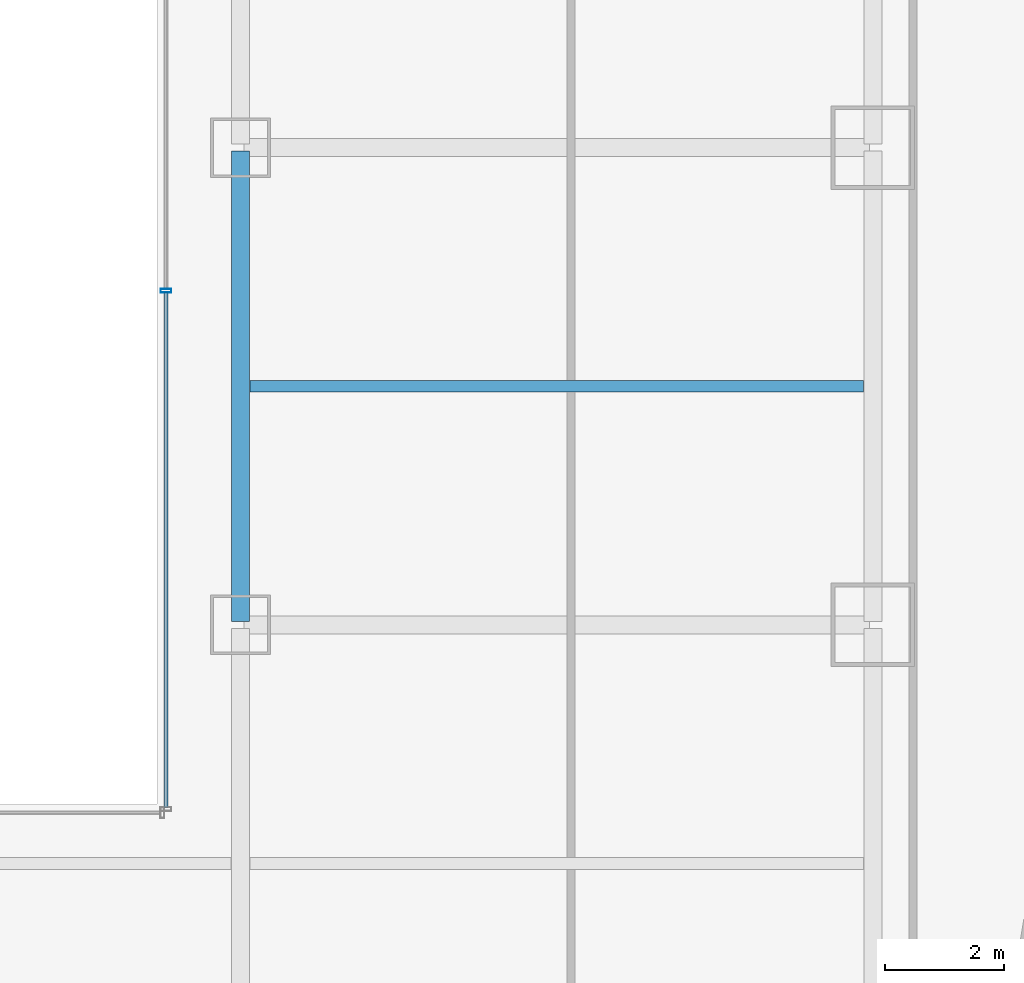
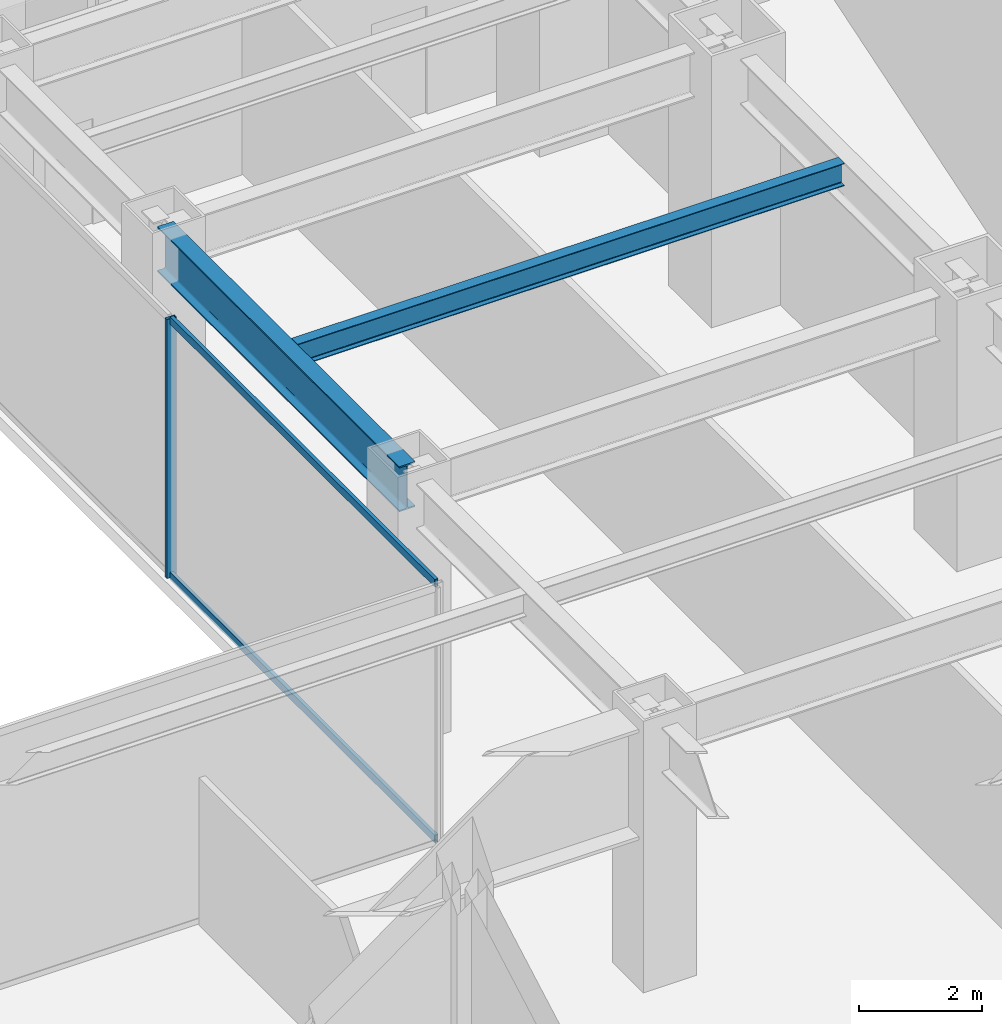
# One storey, part 10 of 29: 3 members, 2 beams, 1 element without a shape of its own.
"""IFC4 building model written with IfcOpenShell, lengths in metres."""

import ifcopenshell
import ifcopenshell.guid

model = None  # the IFC model being written
_history = None  # IfcOwnerHistory: only IFC2X3 demands one
_inside = {}  # id of a spatial element -> (the spatial element, [elements in it])
_under = {}  # id of a project, library or spatial element -> (it, [spatial elements below it])
_declared = {}  # id of a project -> (the project, [libraries it declares])
_typed = {}  # id of a type object -> (the type object, [elements of that type])
_made_of = {}  # id of a material, layer set ... -> (it, [elements and type objects made of it])


def new_model(schema):
    """Start an empty IFC model of exactly this schema.

    Asked for "IFC4X3", IfcOpenShell would pick the latest addendum, in which some entities
    have other attributes; the version numbers below select the first issue.
    IFC2X3 requires an IfcOwnerHistory on every rooted entity: one is made here for all.
    """
    global model, _history
    if schema == "IFC4X3":
        model = ifcopenshell.file(schema_version=(4, 3, 0, 0))
    else:
        model = ifcopenshell.file(schema=schema)
    _inside.clear()
    _under.clear()
    _declared.clear()
    _typed.clear()
    _made_of.clear()
    _history = None
    if model.schema == "IFC2X3":
        org = make("IfcOrganization", Name="unknown")
        user = make(
            "IfcPersonAndOrganization",
            ThePerson=make("IfcPerson", FamilyName="unknown"),
            TheOrganization=org,
        )
        app = make(
            "IfcApplication",
            ApplicationDeveloper=org,
            Version="unknown",
            ApplicationFullName="unknown",
            ApplicationIdentifier="unknown",
        )
        _history = make(
            "IfcOwnerHistory",
            OwningUser=user,
            OwningApplication=app,
            ChangeAction="ADDED",
            CreationDate=0,
        )
    return model


def make(cls, **values):
    """One entity of the class cls with the attributes given. An attribute that is None is left unset."""
    return model.create_entity(
        cls, **{name: value for name, value in values.items() if value is not None}
    )


def rooted(cls, **values):
    """An entity with a GlobalId (a new one), such as an element, a storey or a relation."""
    return make(cls, GlobalId=ifcopenshell.guid.new(), OwnerHistory=_history, **values)


def si_unit(unit_type, name, prefix=None):
    """IfcSIUnit, for example si_unit("LENGTHUNIT", "METRE", prefix="MILLI")."""
    return make("IfcSIUnit", UnitType=unit_type, Prefix=prefix, Name=name)


def assignment(units):
    """IfcUnitAssignment: the units of a project."""
    return None if units is None else make("IfcUnitAssignment", Units=units)


def point(xyz):
    """IfcCartesianPoint."""
    return None if xyz is None else make("IfcCartesianPoint", Coordinates=xyz)


def direction(xyz):
    """IfcDirection."""
    return None if xyz is None else make("IfcDirection", DirectionRatios=xyz)


def frame(location, z_axis=None, x_axis=None):
    """IfcAxis2Placement3D, a coordinate frame: its origin and axes. An axis left out is left unset."""
    return make(
        "IfcAxis2Placement3D",
        Location=point(location),
        Axis=direction(z_axis),
        RefDirection=direction(x_axis),
    )


def frame_2d(location, x_axis=None):
    """IfcAxis2Placement2D, a coordinate frame in the plane: its origin and x axis."""
    return make(
        "IfcAxis2Placement2D", Location=point(location), RefDirection=direction(x_axis)
    )


def origin():
    """The frame at (0, 0, 0) with its axes left unset."""
    return frame((0.0, 0.0, 0.0))


def origin_2d():
    """The frame at (0, 0) in the plane with its x axis left unset."""
    return frame_2d((0.0, 0.0))


def place(relative_to, where):
    """IfcLocalPlacement: puts the frame where relative to a parent placement (None: the world)."""
    return make(
        "IfcLocalPlacement", PlacementRelTo=relative_to, RelativePlacement=where
    )


def context(
    kind, dimensions, precision=None, world=None, true_north=None, identifier=None
):
    """IfcGeometricRepresentationContext, for example the 3D "Model" context."""
    return make(
        "IfcGeometricRepresentationContext",
        ContextIdentifier=identifier,
        ContextType=kind,
        CoordinateSpaceDimension=dimensions,
        Precision=precision,
        WorldCoordinateSystem=world,
        TrueNorth=true_north,
    )


def subcontext(parent, identifier, kind, view, scale=None):
    """IfcGeometricRepresentationSubContext, for example "Body" below "Model"."""
    return make(
        "IfcGeometricRepresentationSubContext",
        ContextIdentifier=identifier,
        ContextType=kind,
        ParentContext=parent,
        TargetScale=scale,
        TargetView=view,
    )


def project(units=None, contexts=None):
    """IfcProject with its units and contexts."""
    return rooted(
        "IfcProject",
        Name="project",
        RepresentationContexts=contexts,
        UnitsInContext=assignment(units),
    )


def spatial(cls, under=None, at=None, **own):
    """A site, building, storey or space (cls), placed at a placement, below another one or the project."""
    s = rooted(cls, ObjectPlacement=at, **own)
    if under is not None:
        _under.setdefault(under.id(), (under, []))[1].append(s)
    return s


def profile(cls, at=None, kind="AREA", **sizes):
    """A parametric profile (cls). Its sizes go by their IFC names, for example OverallWidth=200.0."""
    return make(cls, ProfileType=kind, Position=at, **sizes)


def hollow_rectangle(**sizes):
    """IfcRectangleHollowProfileDef."""
    return profile("IfcRectangleHollowProfileDef", **sizes)


def i_section(**sizes):
    """IfcIShapeProfileDef."""
    return profile("IfcIShapeProfileDef", **sizes)


def extrude(swept, where, along, depth):
    """IfcExtrudedAreaSolid: the profile swept, set in the frame where, extruded along a direction by depth."""
    return make(
        "IfcExtrudedAreaSolid",
        SweptArea=swept,
        Position=where,
        ExtrudedDirection=direction(along),
        Depth=depth,
    )


def shape(context_of_items, identifier, shape_type, items):
    """IfcShapeRepresentation: the items that make up one representation, for example the "Body"."""
    return make(
        "IfcShapeRepresentation",
        ContextOfItems=context_of_items,
        RepresentationIdentifier=identifier,
        RepresentationType=shape_type,
        Items=items,
    )


def material(Name=None, Category=None):
    """IfcMaterial."""
    return make("IfcMaterial", Name=Name, Category=Category)


def material_profile(
    of_material, cross_section, Name=None, Category=None, Priority=None
):
    """IfcMaterialProfile: a cross section and its material."""
    return make(
        "IfcMaterialProfile",
        Name=Name,
        Material=of_material,
        Profile=cross_section,
        Priority=Priority,
        Category=Category,
    )


def profile_set(profiles, Name=None, composite=None):
    """IfcMaterialProfileSet."""
    return make(
        "IfcMaterialProfileSet",
        Name=Name,
        MaterialProfiles=profiles,
        CompositeProfile=composite,
    )


def made_of(thing, what):
    """Note that an element or type object is made of a material, layer set ...; save() writes the relation."""
    if what is not None:
        _made_of.setdefault(what.id(), (what, []))[1].append(thing)
    return thing


def type_object(cls, material=None, **own):
    """A type object (cls), such as IfcWallType, which elements share."""
    return made_of(rooted(cls, **own), material)


def element(
    cls,
    number,
    at=None,
    inside=None,
    cuts=None,
    type_object=None,
    material=None,
    context=None,
    identifier="Body",
    shape_type=None,
    held_by="IfcProductDefinitionShape",
    body=None,
    shapes=None,
    **own,
):
    """One element of the class cls, such as IfcWall. Its Tag is "e" and its number.

    at: its placement. inside: the storey or other place that contains it. cuts: it is an
    opening in that element (IfcRelVoidsElement). A single representation is given by context,
    identifier, shape_type and body (its items); several are given by shapes. held_by: the class
    of the entity that holds the representations. save() writes the other relations.
    """
    e = rooted(cls, Tag="e%d" % number, ObjectPlacement=at, **own)
    if body is not None:
        shapes = [shape(context, identifier, shape_type, body)]
    if shapes is not None:
        e.Representation = make(held_by, Representations=shapes)
    if inside is not None:
        _inside.setdefault(inside.id(), (inside, []))[1].append(e)
    if cuts is not None:
        rooted(
            "IfcRelVoidsElement", RelatingBuildingElement=cuts, RelatedOpeningElement=e
        )
    if type_object is not None:
        _typed.setdefault(type_object.id(), (type_object, []))[1].append(e)
    return made_of(e, material)


def aggregate(whole, parts):
    """IfcRelAggregates: a whole, such as a stair, and the parts it consists of."""
    return rooted("IfcRelAggregates", RelatingObject=whole, RelatedObjects=parts)


def save(model, path):
    """Write the relations noted so far, then the file.

    IfcRelAggregates (storeys below a building ...), IfcRelContainedInSpatialStructure (elements
    in a storey), IfcRelDefinesByType, IfcRelAssociatesMaterial and IfcRelDeclares: one each for
    every whole, place, type object, material and project.
    """
    for whole, parts in _under.values():
        aggregate(whole, parts)
    for where, things in _inside.values():
        rooted(
            "IfcRelContainedInSpatialStructure",
            RelatedElements=things,
            RelatingStructure=where,
        )
    for kind, things in _typed.values():
        rooted("IfcRelDefinesByType", RelatedObjects=things, RelatingType=kind)
    for what, things in _made_of.values():
        rooted("IfcRelAssociatesMaterial", RelatedObjects=things, RelatingMaterial=what)
    for by, libraries in _declared.values():
        rooted("IfcRelDeclares", RelatingContext=by, RelatedDefinitions=libraries)
    model.write(path)


model = new_model("IFC4")

# Units and contexts
model_context = context("Model", 3, precision=1e-05, world=origin(), true_north=direction((0.0, 1.0)))
body_context = subcontext(model_context, "Body", "Model", "MODEL_VIEW")
ifc_project = project(units=[si_unit("LENGTHUNIT", "METRE"), si_unit("AREAUNIT", "SQUARE_METRE"), si_unit("VOLUMEUNIT", "CUBIC_METRE"), si_unit("PLANEANGLEUNIT", "RADIAN"), si_unit("MASSUNIT", "GRAM", prefix="KILO")], contexts=[model_context])

# Site, building, storey
site_placement = place(None, origin())
site = spatial("IfcSite", under=ifc_project, at=site_placement, CompositionType="ELEMENT")
building_placement = place(site_placement, origin())
building = spatial("IfcBuilding", under=site, at=building_placement, Name="Saevonmaru Cultural Tower", CompositionType="ELEMENT")
storey_placement = place(building_placement, frame((0.0, 0.0, 27.60009765625)))
storey = spatial("IfcBuildingStorey", under=building, at=storey_placement, Name="L05", CompositionType="ELEMENT", Elevation=27.60009765625)

# Beams
ifc_material_1 = material(Name="Steel SM420", Category="steel")
ifc_material_profile_1 = material_profile(ifc_material_1, i_section(OverallWidth=0.300048828125, OverallDepth=0.89990234375, WebThickness=0.01611328125, FlangeThickness=0.028076171875, FilletRadius=0.028076171875, at=origin_2d()), Name="H-900x300x16x28")
ifc_profile_set_1 = profile_set([ifc_material_profile_1], Name="Steel SM420")
beam_type_1 = type_object("IfcBeamType", Name="BM-G-H900", PredefinedType="BEAM", material=ifc_profile_set_1)
beam_1_placement = place(storey_placement, frame((37.199951171875, 24.06005859375, 4.699951171875), z_axis=(0.0, 1.0, 0.0), x_axis=(-1.0, 0.0, 0.0)))
element("IfcBeam", 1, at=beam_1_placement, inside=storey, type_object=beam_type_1, Name="L05 Podium Girder NS3-4", PredefinedType="BEAM", context=body_context, shape_type="SweptSolid", body=[
    extrude(i_section(OverallWidth=0.300048828125, OverallDepth=0.89990234375, WebThickness=0.01611328125, FlangeThickness=0.028076171875, FilletRadius=0.028076171875, at=origin_2d()), origin(), (0.0, 0.0, 1.0), 7.8798828125),
])
ifc_material_2 = material(Name="Steel SM355", Category="steel")
ifc_material_profile_2 = material_profile(ifc_material_2, i_section(OverallWidth=0.199951171875, OverallDepth=0.449951171875, WebThickness=0.009033203125, FlangeThickness=0.013916015625, FilletRadius=0.01806640625, at=origin_2d()), Name="H-450x200x9x14")
ifc_profile_set_2 = profile_set([ifc_material_profile_2], Name="Steel SM355")
beam_type_2 = type_object("IfcBeamType", Name="BM-J-H450", PredefinedType="JOIST", material=ifc_profile_set_2)
beam_2_placement = place(storey_placement, frame((37.35791015625, 28.0, 4.9248046875), z_axis=(1.0, 0.0, 0.0), x_axis=(0.0, 1.0, 0.0)))
element("IfcBeam", 2, at=beam_2_placement, inside=storey, type_object=beam_type_2, Name="L05 Secondary Floor Joist JE-3", PredefinedType="JOIST", context=body_context, shape_type="SweptSolid", body=[
    extrude(i_section(OverallWidth=0.199951171875, OverallDepth=0.449951171875, WebThickness=0.009033203125, FlangeThickness=0.013916015625, FilletRadius=0.01806640625, at=origin_2d()), origin(), (0.0, 0.0, 1.0), 10.2841796875),
])

# Curtain wall, members
ifc_material_3 = material(Name="Satin Bronze Anodised Aluminium", Category="aluminium")
curtain_wall_type = type_object("IfcCurtainWallType", Name="CW-ATR-GLZ", PredefinedType="NOTDEFINED", material=ifc_material_3)
curtain_wall_placement = place(storey_placement, origin())
curtain_wall = element("IfcCurtainWall", 3, at=curtain_wall_placement, inside=storey, type_object=curtain_wall_type, Name="L05 Vertical Atrium Glazed Smoke Screen 2", PredefinedType="NOTDEFINED")
ifc_material_profile_3 = material_profile(ifc_material_3, hollow_rectangle(XDim=0.06494140625, YDim=0.179931640625, WallThickness=0.00390625, at=origin_2d()), Name="ALU-MULL-180x65x4")
ifc_profile_set_3 = profile_set([ifc_material_profile_3], Name="Satin Bronze Anodised Aluminium")
member_type_1 = type_object("IfcMemberType", Name="ML-CW-INT-180x65", PredefinedType="MULLION", material=ifc_profile_set_3)
member_1_placement = place(storey_placement, frame((35.949951171875, 29.60009765625, 0.0), z_axis=(0.0, 0.0, 1.0), x_axis=(0.0, 1.0, 0.0)))
member_1 = element("IfcMember", 4, at=member_1_placement, type_object=member_type_1, Name="CW-ATR-L05-2 mullion 2", PredefinedType="MULLION", context=body_context, shape_type="SweptSolid", body=[
    extrude(hollow_rectangle(XDim=0.06494140625, YDim=0.179931640625, WallThickness=0.00390625, at=origin_2d()), origin(), (0.0, 0.0, 1.0), 5.14990234375),
])
ifc_material_profile_4 = material_profile(ifc_material_3, hollow_rectangle(XDim=0.06494140625, YDim=0.14990234375, WallThickness=0.00390625, at=origin_2d()), Name="ALU-TRAN-150x65x4")
ifc_profile_set_4 = profile_set([ifc_material_profile_4], Name="Satin Bronze Anodised Aluminium")
member_type_2 = type_object("IfcMemberType", Name="TR-CW-INT-150x65", PredefinedType="USERDEFINED", material=ifc_profile_set_4)
member_2_placement = place(storey_placement, frame((35.949951171875, 20.9423828125, 0.032470703125), z_axis=(0.0, 1.0, 0.0), x_axis=(-1.0, 0.0, 0.0)))
member_2 = element("IfcMember", 5, at=member_2_placement, type_object=member_type_2, Name="CW-ATR-L05-2 transom 1.1", ObjectType="TRANSOM", PredefinedType="USERDEFINED", context=body_context, shape_type="SweptSolid", body=[
    extrude(hollow_rectangle(XDim=0.06494140625, YDim=0.14990234375, WallThickness=0.00390625, at=origin_2d()), origin(), (0.0, 0.0, 1.0), 8.625),
])
member_3_placement = place(storey_placement, frame((35.949951171875, 20.9423828125, 5.117431640625), z_axis=(0.0, 1.0, 0.0), x_axis=(-1.0, 0.0, 0.0)))
member_3 = element("IfcMember", 6, at=member_3_placement, type_object=member_type_2, Name="CW-ATR-L05-2 transom 1.2", ObjectType="TRANSOM", PredefinedType="USERDEFINED", context=body_context, shape_type="SweptSolid", body=[
    extrude(hollow_rectangle(XDim=0.06494140625, YDim=0.14990234375, WallThickness=0.00390625, at=origin_2d()), origin(), (0.0, 0.0, 1.0), 8.625),
])
aggregate(curtain_wall, [member_1, member_2, member_3])

save(model, "model.ifc")
